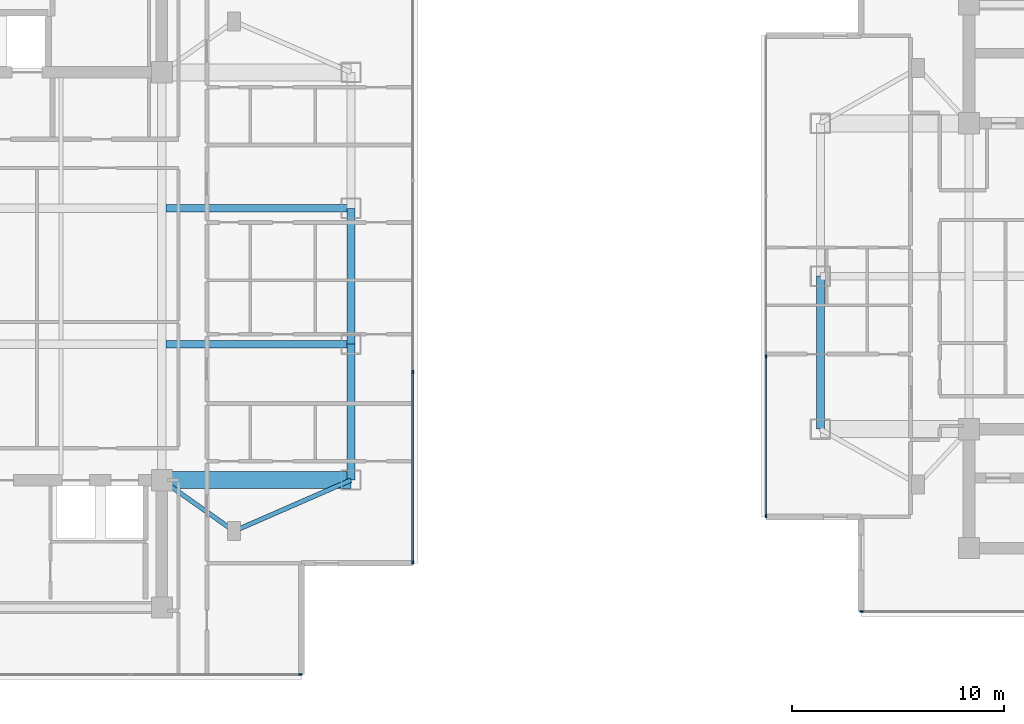
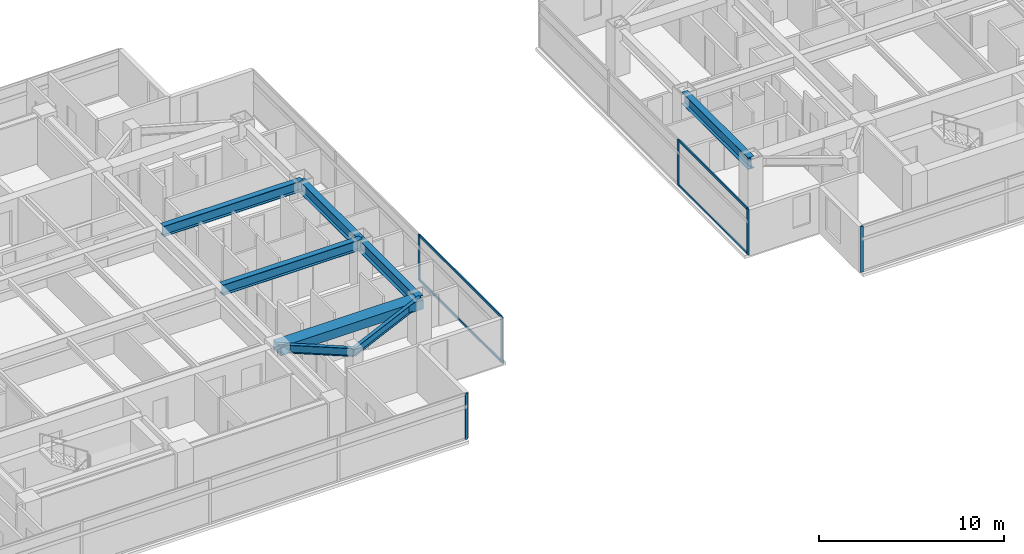
# One storey, part 4 of 25: 10 members, 8 beams, 4 elements without a shape of their own.
"""IFC4 building model written with IfcOpenShell, lengths in metres."""

from ifc_helpers import new_model, si_unit, direction, frame, origin, origin_2d, place, context, subcontext, project, spatial, rectangle, i_section, extrude, material, material_profile, profile_set, type_object, element, aggregate, save


model = new_model("IFC4")

# Units and contexts
model_context = context("Model", 3, precision=1e-05, world=origin(), true_north=direction((0.0, 1.0)))
body_context = subcontext(model_context, "Body", "Model", "MODEL_VIEW")
ifc_project = project(units=[si_unit("LENGTHUNIT", "METRE"), si_unit("AREAUNIT", "SQUARE_METRE"), si_unit("VOLUMEUNIT", "CUBIC_METRE"), si_unit("PLANEANGLEUNIT", "RADIAN"), si_unit("MASSUNIT", "GRAM", prefix="KILO")], contexts=[model_context])

# Site, building, storey
site_placement = place(None, origin())
site = spatial("IfcSite", under=ifc_project, at=site_placement, CompositionType="ELEMENT")
building_placement = place(site_placement, origin())
building = spatial("IfcBuilding", under=site, at=building_placement, Name="Mirazonda Arch Towers", CompositionType="ELEMENT")
storey_placement = place(building_placement, frame((0.0, 0.0, 173.89990234375)))
storey = spatial("IfcBuildingStorey", under=building, at=storey_placement, Name="L49", CompositionType="ELEMENT", Elevation=173.89990234375)

# Beams
ifc_material_1 = material(Name="Steel ASTM A992 Grade 50", Category="steel")
ifc_material_profile_1 = material_profile(ifc_material_1, i_section(OverallWidth=0.381103515625, OverallDepth=0.77294921875, WebThickness=0.0166015625, FlangeThickness=0.027099609375, at=origin_2d()), Name="W30X173")
ifc_profile_set_1 = profile_set([ifc_material_profile_1], Name="Steel ASTM A992 Grade 50")
beam_type_1 = type_object("IfcBeamType", Name="BM-EXT-W30X173", PredefinedType="USERDEFINED", material=ifc_profile_set_1)
beam_1_placement = place(storey_placement, frame((38.89990234375, 18.39990234375, 2.66357421875), z_axis=(0.0, 1.0, 0.0), x_axis=(-1.0, 0.0, 0.0)))
element("IfcBeam", 1, at=beam_1_placement, inside=storey, type_object=beam_type_1, Name="L49 Floor Beam BM-T1-L49-NS-E-18", ObjectType="GIRDER", PredefinedType="USERDEFINED", context=body_context, shape_type="SweptSolid", body=[
    extrude(i_section(OverallWidth=0.381103515625, OverallDepth=0.77294921875, WebThickness=0.0166015625, FlangeThickness=0.027099609375, at=origin_2d()), origin(), (0.0, 0.0, 1.0), 6.400146484375),
])
beam_2_placement = place(storey_placement, frame((38.89990234375, 24.800048828125, 2.66357421875), z_axis=(0.0, 1.0, 0.0), x_axis=(-1.0, 0.0, 0.0)))
element("IfcBeam", 2, at=beam_2_placement, inside=storey, type_object=beam_type_1, Name="L49 Floor Beam BM-T1-L49-NS-E-24", ObjectType="GIRDER", PredefinedType="USERDEFINED", context=body_context, shape_type="SweptSolid", body=[
    extrude(i_section(OverallWidth=0.381103515625, OverallDepth=0.77294921875, WebThickness=0.0166015625, FlangeThickness=0.027099609375, at=origin_2d()), origin(), (0.0, 0.0, 1.0), 6.39990234375),
])
beam_3_placement = place(storey_placement, frame((61.0, 20.800048828125, 2.66357421875), z_axis=(0.0, 1.0, 0.0), x_axis=(-1.0, 0.0, 0.0)))
element("IfcBeam", 3, at=beam_3_placement, inside=storey, type_object=beam_type_1, Name="L49 Floor Beam BM-T2-L49-NS-W-20", ObjectType="GIRDER", PredefinedType="USERDEFINED", context=body_context, shape_type="SweptSolid", body=[
    extrude(i_section(OverallWidth=0.381103515625, OverallDepth=0.77294921875, WebThickness=0.0166015625, FlangeThickness=0.027099609375, at=origin_2d()), origin(), (0.0, 0.0, 1.0), 7.199951171875),
])
ifc_material_profile_2 = material_profile(ifc_material_1, i_section(OverallWidth=0.214111328125, OverallDepth=0.549072265625, WebThickness=0.0146484375, FlangeThickness=0.023681640625, at=origin_2d()), Name="W21X93")
ifc_profile_set_2 = profile_set([ifc_material_profile_2], Name="Steel ASTM A992 Grade 50")
beam_type_2 = type_object("IfcBeamType", Name="BM-INT-W21X93", PredefinedType="BEAM", material=ifc_profile_set_2)
beam_4_placement = place(storey_placement, frame((33.39990234375, 16.0, 2.775634765625), z_axis=(-0.816971114901, 0.576678591087, 0.0), x_axis=(-0.576678591087, -0.816971114901, 0.0)))
element("IfcBeam", 4, at=beam_4_placement, inside=storey, type_object=beam_type_2, Name="L49 Floor Beam BM-T1-L49-PL-SE1", PredefinedType="BEAM", context=body_context, shape_type="SweptSolid", body=[
    extrude(i_section(OverallWidth=0.214111328125, OverallDepth=0.549072265625, WebThickness=0.0146484375, FlangeThickness=0.023681640625, at=origin_2d()), origin(), (0.0, 0.0, 1.0), 4.16162109375),
])
beam_5_placement = place(storey_placement, frame((33.39990234375, 16.0, 2.775634765625), z_axis=(0.916545343703, 0.399930785183, 0.0), x_axis=(-0.399930785183, 0.916545343703, 0.0)))
element("IfcBeam", 5, at=beam_5_placement, inside=storey, type_object=beam_type_2, Name="L49 Floor Beam BM-T1-L49-PL-SE2", PredefinedType="BEAM", context=body_context, shape_type="SweptSolid", body=[
    extrude(i_section(OverallWidth=0.214111328125, OverallDepth=0.549072265625, WebThickness=0.0146484375, FlangeThickness=0.023681640625, at=origin_2d()), origin(), (0.0, 0.0, 1.0), 6.000732421875),
])
ifc_material_profile_3 = material_profile(ifc_material_1, i_section(OverallWidth=0.35498046875, OverallDepth=0.696044921875, WebThickness=0.015380859375, FlangeThickness=0.02490234375, at=origin_2d()), Name="W27X146")
ifc_profile_set_3 = profile_set([ifc_material_profile_3], Name="Steel ASTM A992 Grade 50")
beam_type_3 = type_object("IfcBeamType", Name="BM-INT-W27X146", PredefinedType="BEAM", material=ifc_profile_set_3)
for number, where, z_axis, x_axis, name in (
    (6, (30.199951171875, 24.800048828125, 2.7021484375), (1.0, 0.0, 0.0), (0.0, 1.0, 0.0), "L49 Floor Beam BM-T1-L49-GE2"),
    (7, (30.199951171875, 31.199951171875, 2.7021484375), (1.0, 0.0, 0.0), (0.0, 1.0, 0.0), "L49 Floor Beam BM-T1-L49-GE3"),
):
    element("IfcBeam", number, at=place(storey_placement, frame(where, z_axis=z_axis, x_axis=x_axis)), inside=storey, type_object=beam_type_3, Name=name, PredefinedType="BEAM", context=body_context, shape_type="SweptSolid", body=[
        extrude(i_section(OverallWidth=0.35498046875, OverallDepth=0.696044921875, WebThickness=0.015380859375, FlangeThickness=0.02490234375, at=origin_2d()), origin(), (0.0, 0.0, 1.0), 8.699951171875),
    ])
ifc_material_2 = material(Name="Concrete C60/75", Category="concrete")
ifc_material_profile_4 = material_profile(ifc_material_2, rectangle(XDim=0.800048828125, YDim=0.60009765625, at=origin_2d()), Name="RCCB800x600")
ifc_profile_set_4 = profile_set([ifc_material_profile_4], Name="Concrete C60/75")
beam_type_4 = type_object("IfcBeamType", Name="CB-INT-RCCB800x600", PredefinedType="SPANDREL", material=ifc_profile_set_4)
beam_6_placement = place(storey_placement, frame((30.0, 18.39990234375, 2.75), z_axis=(1.0, 0.0, 0.0), x_axis=(0.0, 1.0, 0.0)))
element("IfcBeam", 8, at=beam_6_placement, inside=storey, type_object=beam_type_4, Name="L49 Floor Beam CBC-T1-L49-SE", PredefinedType="SPANDREL", context=body_context, shape_type="SweptSolid", body=[
    extrude(rectangle(XDim=0.800048828125, YDim=0.60009765625, at=origin_2d()), origin(), (0.0, 0.0, 1.0), 8.89990234375),
])

# Curtain wall, member
ifc_material_3 = material(Name="Anodised Aluminium and Low-E Glass", Category="aluminium")
curtain_wall_type = type_object("IfcCurtainWallType", Name="CW-RES-UNIT", PredefinedType="NOTDEFINED", material=ifc_material_3)
curtain_wall_1_placement = place(storey_placement, origin())
curtain_wall_1 = element("IfcCurtainWall", 9, at=curtain_wall_1_placement, inside=storey, type_object=curtain_wall_type, Name="L49 T1 S Facade CW-L49-T1-S", PredefinedType="NOTDEFINED")
ifc_material_4 = material(Name="Anodised Aluminium Alloy", Category="aluminium")
ifc_material_profile_5 = material_profile(ifc_material_4, rectangle(XDim=0.074951171875, YDim=0.175048828125, at=origin_2d()), Name="ALU-MULL-75x175")
ifc_profile_set_5 = profile_set([ifc_material_profile_5], Name="Anodised Aluminium Alloy")
member_type_1 = type_object("IfcMemberType", Name="MULL-CW-RES-UNIT", PredefinedType="MULLION", material=ifc_profile_set_5)
member_1_placement = place(storey_placement, frame((36.527587890625, 9.241943359375, 0.0), z_axis=(0.0, 0.0, 1.0), x_axis=(0.0, -1.0, 0.0)))
member_1 = element("IfcMember", 10, at=member_1_placement, type_object=member_type_1, Name="CW-104 mullion 1", PredefinedType="MULLION", context=body_context, shape_type="SweptSolid", body=[
    extrude(rectangle(XDim=0.074951171875, YDim=0.175048828125, at=origin_2d()), origin(), (0.0, 0.0, 1.0), 3.030029296875),
])
aggregate(curtain_wall_1, [member_1])

# Curtain wall, members
curtain_wall_2_placement = place(storey_placement, origin())
curtain_wall_2 = element("IfcCurtainWall", 11, at=curtain_wall_2_placement, inside=storey, type_object=curtain_wall_type, Name="L49 T1 E Facade CW-L49-T1-E", PredefinedType="NOTDEFINED")
member_2_placement = place(storey_placement, frame((41.81005859375, 14.5244140625, 0.0), z_axis=(0.0, 0.0, 1.0), x_axis=(-1.0, 0.0, 0.0)))
member_2 = element("IfcMember", 12, at=member_2_placement, type_object=member_type_1, Name="CW-104 mullion 1", PredefinedType="MULLION", context=body_context, shape_type="SweptSolid", body=[
    extrude(rectangle(XDim=0.074951171875, YDim=0.175048828125, at=origin_2d()), origin(), (0.0, 0.0, 1.0), 3.030029296875),
])
member_3_placement = place(storey_placement, frame((41.81005859375, 23.49560546875, 0.0), z_axis=(0.0, 0.0, 1.0), x_axis=(-1.0, 0.0, 0.0)))
member_3 = element("IfcMember", 13, at=member_3_placement, type_object=member_type_1, Name="CW-104 mullion 2", PredefinedType="MULLION", context=body_context, shape_type="SweptSolid", body=[
    extrude(rectangle(XDim=0.074951171875, YDim=0.175048828125, at=origin_2d()), origin(), (0.0, 0.0, 1.0), 3.030029296875),
])

# Curtain wall, member
curtain_wall_3_placement = place(storey_placement, origin())
curtain_wall_3 = element("IfcCurtainWall", 14, at=curtain_wall_3_placement, inside=storey, type_object=curtain_wall_type, Name="L49 T2 S Facade CW-L49-T2-S", PredefinedType="NOTDEFINED")
member_4_placement = place(storey_placement, frame((62.942138671875, 12.208740234375, 0.0), z_axis=(0.0, 0.0, 1.0), x_axis=(0.0, -1.0, 0.0)))
member_4 = element("IfcMember", 15, at=member_4_placement, type_object=member_type_1, Name="CW-104 mullion 4", PredefinedType="MULLION", context=body_context, shape_type="SweptSolid", body=[
    extrude(rectangle(XDim=0.074951171875, YDim=0.175048828125, at=origin_2d()), origin(), (0.0, 0.0, 1.0), 3.030029296875),
])
aggregate(curtain_wall_3, [member_4])

# Curtain wall, members
curtain_wall_4_placement = place(storey_placement, origin())
curtain_wall_4 = element("IfcCurtainWall", 16, at=curtain_wall_4_placement, inside=storey, type_object=curtain_wall_type, Name="L49 T2 W Facade CW-L49-T2-W", PredefinedType="NOTDEFINED")
member_5_placement = place(storey_placement, frame((58.439453125, 24.224609375, 0.0), z_axis=(0.0, 0.0, 1.0), x_axis=(1.0, 0.0, 0.0)))
member_5 = element("IfcMember", 17, at=member_5_placement, type_object=member_type_1, Name="CW-104 mullion 3", PredefinedType="MULLION", context=body_context, shape_type="SweptSolid", body=[
    extrude(rectangle(XDim=0.074951171875, YDim=0.175048828125, at=origin_2d()), origin(), (0.0, 0.0, 1.0), 3.030029296875),
])
member_6_placement = place(storey_placement, frame((58.439453125, 16.71142578125, 0.0), z_axis=(0.0, 0.0, 1.0), x_axis=(1.0, 0.0, 0.0)))
member_6 = element("IfcMember", 18, at=member_6_placement, type_object=member_type_1, Name="CW-104 mullion 4", PredefinedType="MULLION", context=body_context, shape_type="SweptSolid", body=[
    extrude(rectangle(XDim=0.074951171875, YDim=0.175048828125, at=origin_2d()), origin(), (0.0, 0.0, 1.0), 3.030029296875),
])

# Member
ifc_material_profile_6 = material_profile(ifc_material_4, rectangle(XDim=0.074951171875, YDim=0.155029296875, at=origin_2d()), Name="ALU-TRAN-75x155")
ifc_profile_set_6 = profile_set([ifc_material_profile_6], Name="Anodised Aluminium Alloy")
member_type_2 = type_object("IfcMemberType", Name="TRAN-CW-RES-UNIT", PredefinedType="USERDEFINED", material=ifc_profile_set_6)
member_7_placement = place(storey_placement, frame((41.81005859375, 14.56201171875, 0.03759765625), z_axis=(0.0, 1.0, 0.0), x_axis=(-1.0, 0.0, 0.0)))
member_7 = element("IfcMember", 19, at=member_7_placement, type_object=member_type_2, Name="CW-104 transom 1.1", ObjectType="TRANSOM", PredefinedType="USERDEFINED", context=body_context, shape_type="SweptSolid", body=[
    extrude(rectangle(XDim=0.074951171875, YDim=0.155029296875, at=origin_2d()), origin(), (0.0, 0.0, 1.0), 8.896240234375),
])

member_8_placement = place(storey_placement, frame((41.81005859375, 14.56201171875, 2.99267578125), z_axis=(0.0, 1.0, 0.0), x_axis=(-1.0, 0.0, 0.0)))
member_8 = element("IfcMember", 20, at=member_8_placement, type_object=member_type_2, Name="CW-104 transom 1.2", ObjectType="TRANSOM", PredefinedType="USERDEFINED", context=body_context, shape_type="SweptSolid", body=[
    extrude(rectangle(XDim=0.074951171875, YDim=0.155029296875, at=origin_2d()), origin(), (0.0, 0.0, 1.0), 8.896240234375),
])

aggregate(curtain_wall_2, [member_2, member_3, member_7, member_8])

member_9_placement = place(storey_placement, frame((58.439453125, 24.18701171875, 0.03759765625), z_axis=(0.0, -1.0, 0.0), x_axis=(1.0, 0.0, 0.0)))
member_9 = element("IfcMember", 21, at=member_9_placement, type_object=member_type_2, Name="CW-104 transom 3.1", ObjectType="TRANSOM", PredefinedType="USERDEFINED", context=body_context, shape_type="SweptSolid", body=[
    extrude(rectangle(XDim=0.074951171875, YDim=0.155029296875, at=origin_2d()), origin(), (0.0, 0.0, 1.0), 7.438232421875),
])

member_10_placement = place(storey_placement, frame((58.439453125, 24.18701171875, 2.99267578125), z_axis=(0.0, -1.0, 0.0), x_axis=(1.0, 0.0, 0.0)))
member_10 = element("IfcMember", 22, at=member_10_placement, type_object=member_type_2, Name="CW-104 transom 3.2", ObjectType="TRANSOM", PredefinedType="USERDEFINED", context=body_context, shape_type="SweptSolid", body=[
    extrude(rectangle(XDim=0.074951171875, YDim=0.155029296875, at=origin_2d()), origin(), (0.0, 0.0, 1.0), 7.438232421875),
])

aggregate(curtain_wall_4, [member_5, member_6, member_9, member_10])

save(model, "model.ifc")
